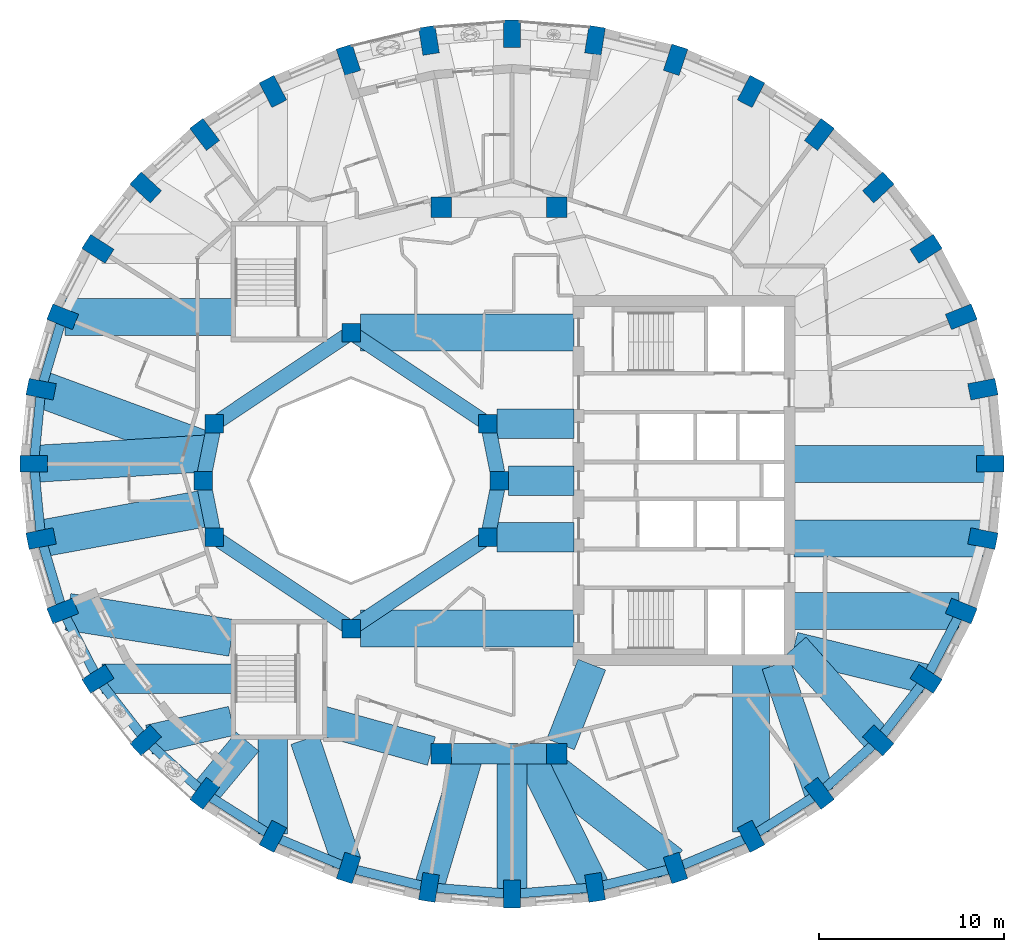
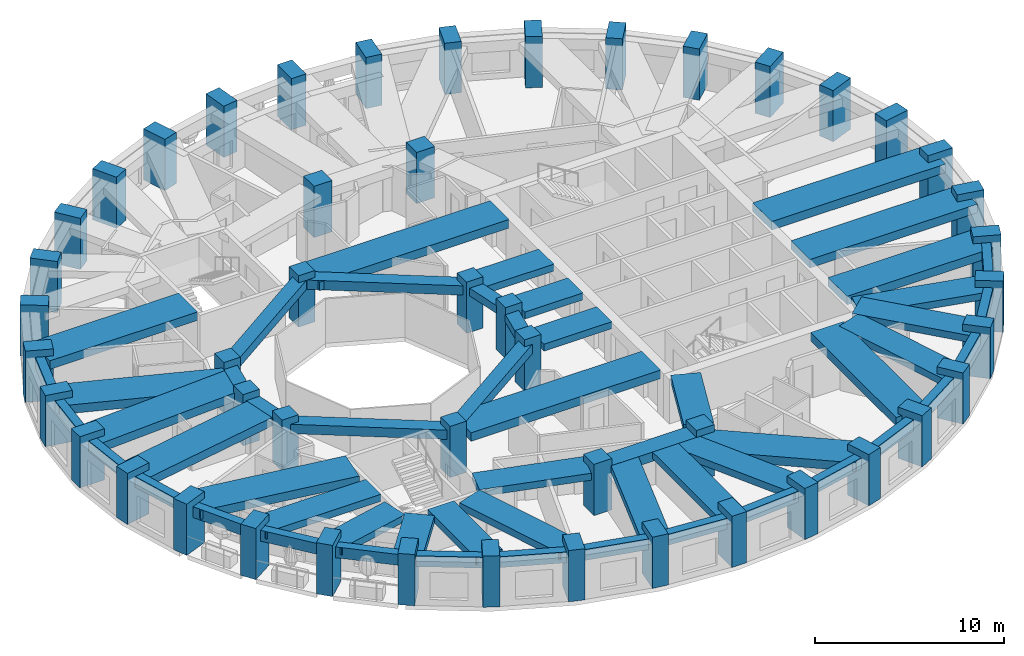
# One storey, part 1 of 12: 55 beams, 48 columns.
"""IFC4 building model written with IfcOpenShell, lengths in metres."""

import ifcopenshell
import ifcopenshell.guid

model = None  # the IFC model being written
_history = None  # IfcOwnerHistory: only IFC2X3 demands one
_inside = {}  # id of a spatial element -> (the spatial element, [elements in it])
_under = {}  # id of a project, library or spatial element -> (it, [spatial elements below it])
_declared = {}  # id of a project -> (the project, [libraries it declares])
_typed = {}  # id of a type object -> (the type object, [elements of that type])
_made_of = {}  # id of a material, layer set ... -> (it, [elements and type objects made of it])


def new_model(schema):
    """Start an empty IFC model of exactly this schema.

    Asked for "IFC4X3", IfcOpenShell would pick the latest addendum, in which some entities
    have other attributes; the version numbers below select the first issue.
    IFC2X3 requires an IfcOwnerHistory on every rooted entity: one is made here for all.
    """
    global model, _history
    if schema == "IFC4X3":
        model = ifcopenshell.file(schema_version=(4, 3, 0, 0))
    else:
        model = ifcopenshell.file(schema=schema)
    _inside.clear()
    _under.clear()
    _declared.clear()
    _typed.clear()
    _made_of.clear()
    _history = None
    if model.schema == "IFC2X3":
        org = make("IfcOrganization", Name="unknown")
        user = make(
            "IfcPersonAndOrganization",
            ThePerson=make("IfcPerson", FamilyName="unknown"),
            TheOrganization=org,
        )
        app = make(
            "IfcApplication",
            ApplicationDeveloper=org,
            Version="unknown",
            ApplicationFullName="unknown",
            ApplicationIdentifier="unknown",
        )
        _history = make(
            "IfcOwnerHistory",
            OwningUser=user,
            OwningApplication=app,
            ChangeAction="ADDED",
            CreationDate=0,
        )
    return model


def make(cls, **values):
    """One entity of the class cls with the attributes given. An attribute that is None is left unset."""
    return model.create_entity(
        cls, **{name: value for name, value in values.items() if value is not None}
    )


def rooted(cls, **values):
    """An entity with a GlobalId (a new one), such as an element, a storey or a relation."""
    return make(cls, GlobalId=ifcopenshell.guid.new(), OwnerHistory=_history, **values)


def si_unit(unit_type, name, prefix=None):
    """IfcSIUnit, for example si_unit("LENGTHUNIT", "METRE", prefix="MILLI")."""
    return make("IfcSIUnit", UnitType=unit_type, Prefix=prefix, Name=name)


def assignment(units):
    """IfcUnitAssignment: the units of a project."""
    return None if units is None else make("IfcUnitAssignment", Units=units)


def point(xyz):
    """IfcCartesianPoint."""
    return None if xyz is None else make("IfcCartesianPoint", Coordinates=xyz)


def direction(xyz):
    """IfcDirection."""
    return None if xyz is None else make("IfcDirection", DirectionRatios=xyz)


def frame(location, z_axis=None, x_axis=None):
    """IfcAxis2Placement3D, a coordinate frame: its origin and axes. An axis left out is left unset."""
    return make(
        "IfcAxis2Placement3D",
        Location=point(location),
        Axis=direction(z_axis),
        RefDirection=direction(x_axis),
    )


def frame_2d(location, x_axis=None):
    """IfcAxis2Placement2D, a coordinate frame in the plane: its origin and x axis."""
    return make(
        "IfcAxis2Placement2D", Location=point(location), RefDirection=direction(x_axis)
    )


def origin():
    """The frame at (0, 0, 0) with its axes left unset."""
    return frame((0.0, 0.0, 0.0))


def origin_2d():
    """The frame at (0, 0) in the plane with its x axis left unset."""
    return frame_2d((0.0, 0.0))


def place(relative_to, where):
    """IfcLocalPlacement: puts the frame where relative to a parent placement (None: the world)."""
    return make(
        "IfcLocalPlacement", PlacementRelTo=relative_to, RelativePlacement=where
    )


def context(
    kind, dimensions, precision=None, world=None, true_north=None, identifier=None
):
    """IfcGeometricRepresentationContext, for example the 3D "Model" context."""
    return make(
        "IfcGeometricRepresentationContext",
        ContextIdentifier=identifier,
        ContextType=kind,
        CoordinateSpaceDimension=dimensions,
        Precision=precision,
        WorldCoordinateSystem=world,
        TrueNorth=true_north,
    )


def subcontext(parent, identifier, kind, view, scale=None):
    """IfcGeometricRepresentationSubContext, for example "Body" below "Model"."""
    return make(
        "IfcGeometricRepresentationSubContext",
        ContextIdentifier=identifier,
        ContextType=kind,
        ParentContext=parent,
        TargetScale=scale,
        TargetView=view,
    )


def project(units=None, contexts=None):
    """IfcProject with its units and contexts."""
    return rooted(
        "IfcProject",
        Name="project",
        RepresentationContexts=contexts,
        UnitsInContext=assignment(units),
    )


def spatial(cls, under=None, at=None, **own):
    """A site, building, storey or space (cls), placed at a placement, below another one or the project."""
    s = rooted(cls, ObjectPlacement=at, **own)
    if under is not None:
        _under.setdefault(under.id(), (under, []))[1].append(s)
    return s


def profile(cls, at=None, kind="AREA", **sizes):
    """A parametric profile (cls). Its sizes go by their IFC names, for example OverallWidth=200.0."""
    return make(cls, ProfileType=kind, Position=at, **sizes)


def rectangle(**sizes):
    """IfcRectangleProfileDef."""
    return profile("IfcRectangleProfileDef", **sizes)


def extrude(swept, where, along, depth):
    """IfcExtrudedAreaSolid: the profile swept, set in the frame where, extruded along a direction by depth."""
    return make(
        "IfcExtrudedAreaSolid",
        SweptArea=swept,
        Position=where,
        ExtrudedDirection=direction(along),
        Depth=depth,
    )


def shape(context_of_items, identifier, shape_type, items):
    """IfcShapeRepresentation: the items that make up one representation, for example the "Body"."""
    return make(
        "IfcShapeRepresentation",
        ContextOfItems=context_of_items,
        RepresentationIdentifier=identifier,
        RepresentationType=shape_type,
        Items=items,
    )


def material(Name=None, Category=None):
    """IfcMaterial."""
    return make("IfcMaterial", Name=Name, Category=Category)


def material_profile(
    of_material, cross_section, Name=None, Category=None, Priority=None
):
    """IfcMaterialProfile: a cross section and its material."""
    return make(
        "IfcMaterialProfile",
        Name=Name,
        Material=of_material,
        Profile=cross_section,
        Priority=Priority,
        Category=Category,
    )


def profile_set(profiles, Name=None, composite=None):
    """IfcMaterialProfileSet."""
    return make(
        "IfcMaterialProfileSet",
        Name=Name,
        MaterialProfiles=profiles,
        CompositeProfile=composite,
    )


def made_of(thing, what):
    """Note that an element or type object is made of a material, layer set ...; save() writes the relation."""
    if what is not None:
        _made_of.setdefault(what.id(), (what, []))[1].append(thing)
    return thing


def type_object(cls, material=None, **own):
    """A type object (cls), such as IfcWallType, which elements share."""
    return made_of(rooted(cls, **own), material)


def element(
    cls,
    number,
    at=None,
    inside=None,
    cuts=None,
    type_object=None,
    material=None,
    context=None,
    identifier="Body",
    shape_type=None,
    held_by="IfcProductDefinitionShape",
    body=None,
    shapes=None,
    **own,
):
    """One element of the class cls, such as IfcWall. Its Tag is "e" and its number.

    at: its placement. inside: the storey or other place that contains it. cuts: it is an
    opening in that element (IfcRelVoidsElement). A single representation is given by context,
    identifier, shape_type and body (its items); several are given by shapes. held_by: the class
    of the entity that holds the representations. save() writes the other relations.
    """
    e = rooted(cls, Tag="e%d" % number, ObjectPlacement=at, **own)
    if body is not None:
        shapes = [shape(context, identifier, shape_type, body)]
    if shapes is not None:
        e.Representation = make(held_by, Representations=shapes)
    if inside is not None:
        _inside.setdefault(inside.id(), (inside, []))[1].append(e)
    if cuts is not None:
        rooted(
            "IfcRelVoidsElement", RelatingBuildingElement=cuts, RelatedOpeningElement=e
        )
    if type_object is not None:
        _typed.setdefault(type_object.id(), (type_object, []))[1].append(e)
    return made_of(e, material)


def aggregate(whole, parts):
    """IfcRelAggregates: a whole, such as a stair, and the parts it consists of."""
    return rooted("IfcRelAggregates", RelatingObject=whole, RelatedObjects=parts)


def save(model, path):
    """Write the relations noted so far, then the file.

    IfcRelAggregates (storeys below a building ...), IfcRelContainedInSpatialStructure (elements
    in a storey), IfcRelDefinesByType, IfcRelAssociatesMaterial and IfcRelDeclares: one each for
    every whole, place, type object, material and project.
    """
    for whole, parts in _under.values():
        aggregate(whole, parts)
    for where, things in _inside.values():
        rooted(
            "IfcRelContainedInSpatialStructure",
            RelatedElements=things,
            RelatingStructure=where,
        )
    for kind, things in _typed.values():
        rooted("IfcRelDefinesByType", RelatedObjects=things, RelatingType=kind)
    for what, things in _made_of.values():
        rooted("IfcRelAssociatesMaterial", RelatedObjects=things, RelatingMaterial=what)
    for by, libraries in _declared.values():
        rooted("IfcRelDeclares", RelatingContext=by, RelatedDefinitions=libraries)
    model.write(path)


model = new_model("IFC4")

# Units and contexts
model_context = context("Model", 3, precision=1e-05, world=origin(), true_north=direction((0.0, 1.0)))
body_context = subcontext(model_context, "Body", "Model", "MODEL_VIEW")
ifc_project = project(units=[si_unit("LENGTHUNIT", "METRE"), si_unit("AREAUNIT", "SQUARE_METRE"), si_unit("VOLUMEUNIT", "CUBIC_METRE"), si_unit("PLANEANGLEUNIT", "RADIAN"), si_unit("MASSUNIT", "GRAM", prefix="KILO")], contexts=[model_context])

# Site, building, storey
site_placement = place(None, origin())
site = spatial("IfcSite", under=ifc_project, at=site_placement, CompositionType="ELEMENT")
building_placement = place(site_placement, origin())
building = spatial("IfcBuilding", under=site, at=building_placement, Name="Taillehof Tower", CompositionType="ELEMENT")
storey_placement = place(building_placement, frame((0.0, 0.0, 225.5)))
storey = spatial("IfcBuildingStorey", under=building, at=storey_placement, Name="L64", CompositionType="ELEMENT", Elevation=225.5)

# Columns
ifc_material_1 = material(Name="Concrete C50/60", Category="concrete")
ifc_material_profile_1 = material_profile(ifc_material_1, rectangle(XDim=1.0, YDim=1.0, at=origin_2d()), Name="RC 1000x1000")
ifc_profile_set_1 = profile_set([ifc_material_profile_1], Name="Concrete C50/60")
column_type_1 = type_object("IfcColumnType", Name="Atrium ring column C50/60 1000x1000", PredefinedType="COLUMN", material=ifc_profile_set_1)
for number, where, z_axis, x_axis, name in (
    (1, (0.0, 0.0, 0.0), (0.0, 0.0, 1.0), (1.0, 0.0, 0.0), "Column AC01"),
    (2, (-0.60888671875, 3.0615234375, 0.0), (0.0, 0.0, 1.0), (1.0, 0.0, 0.0), "Column AC02"),
    (3, (-8.0, 8.0, 0.0), (0.0, 0.0, 1.0), (1.0, 0.0, 0.0), "Column AC05"),
    (4, (-15.39111328125, 3.0615234375, 0.0), (0.0, 0.0, 1.0), (1.0, 0.0, 0.0), "Column AC08"),
    (5, (-16.0, 0.0, 0.0), (0.0, 0.0, 1.0), (1.0, 0.0, 0.0), "Column AC09"),
    (6, (-15.39111328125, -3.0615234375, 0.0), (0.0, 0.0, 1.0), (1.0, 0.0, 0.0), "Column AC10"),
    (7, (-8.0, -8.0, 0.0), (0.0, 0.0, 1.0), (1.0, 0.0, 0.0), "Column AC13"),
    (8, (-0.60888671875, -3.0615234375, 0.0), (0.0, 0.0, 1.0), (1.0, 0.0, 0.0), "Column AC16"),
):
    element("IfcColumn", number, at=place(storey_placement, frame(where, z_axis=z_axis, x_axis=x_axis)), inside=storey, type_object=column_type_1, Name=name, PredefinedType="COLUMN", context=body_context, shape_type="SweptSolid", body=[
        extrude(rectangle(XDim=1.0, YDim=1.0, at=origin_2d()), origin(), (0.0, 0.0, 1.0), 3.300048828125),
    ])
ifc_material_2 = material(Name="Concrete C50/60", Category="concrete")
ifc_material_profile_2 = material_profile(ifc_material_2, rectangle(XDim=1.10009765625, YDim=1.10009765625, at=origin_2d()), Name="RC 1100x1100")
ifc_profile_set_2 = profile_set([ifc_material_profile_2], Name="Concrete C50/60")
column_type_2 = type_object("IfcColumnType", Name="Mid-ring column C50/60 1100x1100", PredefinedType="COLUMN", material=ifc_profile_set_2)
for number, where, z_axis, x_axis, name in (
    (9, (3.125732421875, 14.772216796875, 0.0), (0.0, 0.0, 1.0), (1.0, 0.0, 0.0), "Column MC05"),
    (10, (-3.125732421875, 14.772216796875, 0.0), (0.0, 0.0, 1.0), (1.0, 0.0, 0.0), "Column MC06"),
    (11, (-3.125732421875, -14.772216796875, 0.0), (0.0, 0.0, 1.0), (1.0, 0.0, 0.0), "Column MC14"),
    (12, (3.125732421875, -14.772216796875, 0.0), (0.0, 0.0, 1.0), (1.0, 0.0, 0.0), "Column MC15"),
):
    element("IfcColumn", number, at=place(storey_placement, frame(where, z_axis=z_axis, x_axis=x_axis)), inside=storey, type_object=column_type_2, Name=name, PredefinedType="COLUMN", context=body_context, shape_type="SweptSolid", body=[
        extrude(rectangle(XDim=1.10009765625, YDim=1.10009765625, at=origin_2d()), origin(), (0.0, 0.0, 1.0), 3.300048828125),
    ])
ifc_material_3 = material(Name="Concrete C60/75", Category="concrete")
ifc_material_profile_3 = material_profile(ifc_material_3, rectangle(XDim=1.5, YDim=0.89990234375, at=origin_2d()), Name="RC 1500x900")
ifc_profile_set_3 = profile_set([ifc_material_profile_3], Name="Concrete C60/75")
column_type_3 = type_object("IfcColumnType", Name="Ring column C60/75 1500x900", PredefinedType="COLUMN", material=ifc_profile_set_3)
for number, where, z_axis, x_axis, name in (
    (13, (26.550048828125, 0.89990234375, 0.0), (0.0, 0.0, 1.0), (1.0, 0.0, 0.0), "Ring column RC01"),
    (14, (26.1572265625, 4.937255859375, 0.0), (0.0, 0.0, 1.0), (0.981433894538, 0.191800705555, 0.0), "Ring column RC02"),
    (15, (24.990966796875, 8.85205078125, 0.0), (0.0, 0.0, 1.0), (0.927385290523, 0.374107635477, 0.0), "Ring column RC03"),
    (16, (23.086669921875, 12.52490234375, 0.0), (0.0, 0.0, 1.0), (0.84231094199, 0.538991908107, 0.0), "Ring column RC04"),
    (17, (20.502197265625, 15.8447265625, 0.0), (0.0, 0.0, 1.0), (0.732270888356, 0.681013469813, 0.0), "Ring column RC05"),
    (18, (17.316162109375, 18.71044921875, 0.0), (0.0, 0.0, 1.0), (0.60360770772, 0.797281465469, 0.0), "Ring column RC06"),
    (19, (13.625, 21.03515625, 0.0), (0.0, 0.0, 1.0), (0.461993199576, 0.886883466722, 0.0), "Ring column RC07"),
    (20, (9.541259765625, 22.747802734375, 0.0), (0.0, 0.0, 1.0), (0.312001306843, 0.950081672557, 0.0), "Ring column RC08"),
    (21, (5.188720703125, 23.796875, 0.0), (0.0, 0.0, 1.0), (0.157116034607, 0.987580149491, 0.0), "Ring column RC09"),
    (22, (0.699951171875, 24.14990234375, 0.0), (0.0, 0.0, 1.0), (0.0, 1.0, 0.0), "Ring column RC10"),
    (23, (-3.788818359375, 23.796875, 0.0), (0.0, 0.0, 1.0), (-0.157116034607, 0.987580149491, 0.0), "Ring column RC11"),
    (24, (-8.14111328125, 22.747802734375, 0.0), (0.0, 0.0, 1.0), (-0.312001306843, 0.950081672557, 0.0), "Ring column RC12"),
    (25, (-12.22509765625, 21.03515625, 0.0), (0.0, 0.0, 1.0), (-0.461993199576, 0.886883466722, 0.0), "Ring column RC13"),
    (26, (-15.916015625, 18.71044921875, 0.0), (0.0, 0.0, 1.0), (-0.60360770772, 0.797281465469, 0.0), "Ring column RC14"),
    (27, (-19.102294921875, 15.8447265625, 0.0), (0.0, 0.0, 1.0), (-0.732270888356, 0.681013469813, 0.0), "Ring column RC15"),
    (28, (-21.686767578125, 12.52490234375, 0.0), (0.0, 0.0, 1.0), (-0.84231094199, 0.538991908107, 0.0), "Ring column RC16"),
    (29, (-23.591064453125, 8.85205078125, 0.0), (0.0, 0.0, 1.0), (-0.927385290523, 0.374107635477, 0.0), "Ring column RC17"),
    (30, (-24.75732421875, 4.937255859375, 0.0), (0.0, 0.0, 1.0), (-0.981433894538, 0.191800705555, 0.0), "Ring column RC18"),
    (31, (-25.14990234375, 0.89990234375, 0.0), (0.0, 0.0, 1.0), (-1.0, 0.0, 0.0), "Ring column RC19"),
    (32, (-24.75732421875, -3.13720703125, 0.0), (0.0, 0.0, 1.0), (-0.981433894538, -0.191800705555, 0.0), "Ring column RC20"),
    (33, (-23.591064453125, -7.052001953125, 0.0), (0.0, 0.0, 1.0), (-0.927385290523, -0.374107635477, 0.0), "Ring column RC21"),
    (34, (-21.686767578125, -10.72509765625, 0.0), (0.0, 0.0, 1.0), (-0.84231094199, -0.538991908107, 0.0), "Ring column RC22"),
    (35, (-19.102294921875, -14.044921875, 0.0), (0.0, 0.0, 1.0), (-0.732270888356, -0.681013469813, 0.0), "Ring column RC23"),
    (36, (-15.916015625, -16.91064453125, 0.0), (0.0, 0.0, 1.0), (-0.60360770772, -0.797281465469, 0.0), "Ring column RC24"),
    (37, (-12.22509765625, -19.235107421875, 0.0), (0.0, 0.0, 1.0), (-0.461993199576, -0.886883466722, 0.0), "Ring column RC25"),
    (38, (-8.14111328125, -20.94775390625, 0.0), (0.0, 0.0, 1.0), (-0.312001306843, -0.950081672557, 0.0), "Ring column RC26"),
    (39, (-3.788818359375, -21.996826171875, 0.0), (0.0, 0.0, 1.0), (-0.157116034607, -0.987580149491, 0.0), "Ring column RC27"),
    (40, (0.699951171875, -22.35009765625, 0.0), (0.0, 0.0, 1.0), (0.0, -1.0, 0.0), "Ring column RC28"),
    (41, (5.188720703125, -21.996826171875, 0.0), (0.0, 0.0, 1.0), (0.157116034607, -0.987580149491, 0.0), "Ring column RC29"),
    (42, (9.541259765625, -20.94775390625, 0.0), (0.0, 0.0, 1.0), (0.312001306843, -0.950081672557, 0.0), "Ring column RC30"),
    (43, (13.625, -19.235107421875, 0.0), (0.0, 0.0, 1.0), (0.461993199576, -0.886883466722, 0.0), "Ring column RC31"),
    (44, (17.316162109375, -16.91064453125, 0.0), (0.0, 0.0, 1.0), (0.60360770772, -0.797281465469, 0.0), "Ring column RC32"),
    (45, (20.502197265625, -14.044921875, 0.0), (0.0, 0.0, 1.0), (0.732270888356, -0.681013469813, 0.0), "Ring column RC33"),
    (46, (23.086669921875, -10.72509765625, 0.0), (0.0, 0.0, 1.0), (0.84231094199, -0.538991908107, 0.0), "Ring column RC34"),
    (47, (24.990966796875, -7.052001953125, 0.0), (0.0, 0.0, 1.0), (0.927385290523, -0.374107635477, 0.0), "Ring column RC35"),
    (48, (26.1572265625, -3.13720703125, 0.0), (0.0, 0.0, 1.0), (0.981433894538, -0.191800705555, 0.0), "Ring column RC36"),
):
    element("IfcColumn", number, at=place(storey_placement, frame(where, z_axis=z_axis, x_axis=x_axis)), inside=storey, type_object=column_type_3, Name=name, PredefinedType="COLUMN", context=body_context, shape_type="SweptSolid", body=[
        extrude(rectangle(XDim=1.5, YDim=0.89990234375, at=origin_2d()), origin(), (0.0, 0.0, 1.0), 3.300048828125),
    ])

# Beams
ifc_material_4 = material(Name="Concrete C50/60", Category="concrete")
ifc_material_profile_4 = material_profile(ifc_material_4, rectangle(XDim=0.800048828125, YDim=0.5, at=origin_2d()), Name="RC 800x500")
ifc_profile_set_4 = profile_set([ifc_material_profile_4], Name="Concrete C50/60")
beam_type_1 = type_object("IfcBeamType", Name="Atrium ring beam C50/60 800x500", PredefinedType="BEAM", material=ifc_profile_set_4)
for number, where, z_axis, x_axis, name in (
    (49, (0.0, 0.0, 2.60009765625), (-0.195063155143, 0.980790683839, 0.0), (-0.980790683839, -0.195063155143, 0.0), "Atrium ring beam AB01"),
    (50, (-15.39111328125, 3.0615234375, 2.60009765625), (-0.195063155143, -0.980790683839, 0.0), (0.980790683839, -0.195063155143, 0.0), "Atrium ring beam AB04"),
    (51, (-16.0, 0.0, 2.60009765625), (0.195063155143, -0.980790683839, 0.0), (0.980790683839, 0.195063155143, 0.0), "Atrium ring beam AB05"),
    (52, (-0.60888671875, -3.0615234375, 2.60009765625), (0.195063155143, 0.980790683839, 0.0), (-0.980790683839, 0.195063155143, 0.0), "Atrium ring beam AB08"),
):
    element("IfcBeam", number, at=place(storey_placement, frame(where, z_axis=z_axis, x_axis=x_axis)), inside=storey, type_object=beam_type_1, Name=name, PredefinedType="BEAM", context=body_context, shape_type="SweptSolid", body=[
        extrude(rectangle(XDim=0.800048828125, YDim=0.5, at=origin_2d()), origin(), (0.0, 0.0, 1.0), 3.12158203125),
    ])
ifc_material_5 = material(Name="Concrete C50/60", Category="concrete")
ifc_material_profile_5 = material_profile(ifc_material_5, rectangle(XDim=0.800048828125, YDim=0.60009765625, at=origin_2d()), Name="RC 800x600")
ifc_profile_set_5 = profile_set([ifc_material_profile_5], Name="Concrete C50/60")
beam_type_2 = type_object("IfcBeamType", Name="Atrium ring beam C50/60 800x600", PredefinedType="BEAM", material=ifc_profile_set_5)
for number, where, z_axis, x_axis, name in (
    (53, (-0.60888671875, 3.0615234375, 2.550048828125), (-0.831475195687, 0.555561876804, 0.0), (-0.555561876804, -0.831475195687, 0.0), "Atrium ring beam AB02"),
    (54, (-8.0, 8.0, 2.550048828125), (-0.831475195687, -0.555561876804, 0.0), (0.555561876804, -0.831475195687, 0.0), "Atrium ring beam AB03"),
    (55, (-15.39111328125, -3.0615234375, 2.550048828125), (0.831475195687, -0.555561876804, 0.0), (0.555561876804, 0.831475195687, 0.0), "Atrium ring beam AB06"),
    (56, (-8.0, -8.0, 2.550048828125), (0.831475195687, 0.555561876804, 0.0), (-0.555561876804, 0.831475195687, 0.0), "Atrium ring beam AB07"),
):
    element("IfcBeam", number, at=place(storey_placement, frame(where, z_axis=z_axis, x_axis=x_axis)), inside=storey, type_object=beam_type_2, Name=name, PredefinedType="BEAM", context=body_context, shape_type="SweptSolid", body=[
        extrude(rectangle(XDim=0.800048828125, YDim=0.60009765625, at=origin_2d()), origin(), (0.0, 0.0, 1.0), 8.88916015625),
    ])
ifc_material_6 = material(Name="Concrete C50/60", Category="concrete")
ifc_material_profile_6 = material_profile(ifc_material_6, rectangle(XDim=1.10009765625, YDim=0.60009765625, at=origin_2d()), Name="RC 1100x600")
ifc_profile_set_6 = profile_set([ifc_material_profile_6], Name="Concrete C50/60")
beam_type_3 = type_object("IfcBeamType", Name="Mid-ring beam C50/60 1100x600", PredefinedType="BEAM", material=ifc_profile_set_6)
beam_1_placement = place(storey_placement, frame((-3.125732421875, -14.772216796875, 2.550048828125), z_axis=(1.0, 0.0, 0.0), x_axis=(0.0, 1.0, 0.0)))
element("IfcBeam", 57, at=beam_1_placement, inside=storey, type_object=beam_type_3, Name="Mid-ring beam MB02", PredefinedType="BEAM", context=body_context, shape_type="SweptSolid", body=[
    extrude(rectangle(XDim=1.10009765625, YDim=0.60009765625, at=origin_2d()), origin(), (0.0, 0.0, 1.0), 6.25146484375),
])
ifc_material_7 = material(Name="Concrete C50/60", Category="concrete")
ifc_material_profile_7 = material_profile(ifc_material_7, rectangle(XDim=1.60009765625, YDim=0.449951171875, at=origin_2d()), Name="RC 1600x450")
ifc_profile_set_7 = profile_set([ifc_material_profile_7], Name="Concrete C50/60")
beam_type_4 = type_object("IfcBeamType", Name="Radial band beam C50/60 1600x450", PredefinedType="BEAM", material=ifc_profile_set_7)
beam_2_placement = place(storey_placement, frame((-21.47021484375, -10.72509765625, 2.625), z_axis=(1.0, 0.0, 0.0), x_axis=(0.0, 1.0, 0.0)))
element("IfcBeam", 58, at=beam_2_placement, inside=storey, type_object=beam_type_4, Name="Radial band beam RB22", PredefinedType="BEAM", context=body_context, shape_type="SweptSolid", body=[
    extrude(rectangle(XDim=1.60009765625, YDim=0.449951171875, at=origin_2d()), origin(), (0.0, 0.0, 1.0), 7.020263671875),
])
beam_3_placement = place(storey_placement, frame((-18.929931640625, -14.005615234375, 2.625), z_axis=(0.975193914537, 0.221352273651, 0.0), x_axis=(-0.221352273651, 0.975193914537, 0.0)))
element("IfcBeam", 59, at=beam_3_placement, inside=storey, type_object=beam_type_4, Name="Radial band beam RB23", PredefinedType="BEAM", context=body_context, shape_type="SweptSolid", body=[
    extrude(rectangle(XDim=1.60009765625, YDim=0.449951171875, at=origin_2d()), origin(), (0.0, 0.0, 1.0), 4.5927734375),
])
beam_4_placement = place(storey_placement, frame((-15.916015625, -16.91064453125, 2.625), z_axis=(0.638722345868, 0.769437304066, 0.0), x_axis=(-0.769437304066, 0.638722345868, 0.0)))
element("IfcBeam", 60, at=beam_4_placement, inside=storey, type_object=beam_type_4, Name="Radial band beam RB24", PredefinedType="BEAM", context=body_context, shape_type="SweptSolid", body=[
    extrude(rectangle(XDim=1.60009765625, YDim=0.449951171875, at=origin_2d()), origin(), (0.0, 0.0, 1.0), 3.6328125),
])
beam_5_placement = place(storey_placement, frame((-12.22509765625, -19.101318359375, 2.625), z_axis=(0.0, 1.0, 0.0), x_axis=(-1.0, 0.0, 0.0)))
element("IfcBeam", 61, at=beam_5_placement, inside=storey, type_object=beam_type_4, Name="Radial band beam RB25", PredefinedType="BEAM", context=body_context, shape_type="SweptSolid", body=[
    extrude(rectangle(XDim=1.60009765625, YDim=0.449951171875, at=origin_2d()), origin(), (0.0, 0.0, 1.0), 5.1513671875),
])
beam_6_placement = place(storey_placement, frame((-8.233642578125, -20.675537109375, 2.625), z_axis=(-0.321475101084, 0.94691803203, 0.0), x_axis=(-0.94691803203, -0.321475101084, 0.0)))
element("IfcBeam", 62, at=beam_6_placement, inside=storey, type_object=beam_type_4, Name="Radial band beam RB26", PredefinedType="BEAM", context=body_context, shape_type="SweptSolid", body=[
    extrude(rectangle(XDim=1.60009765625, YDim=0.449951171875, at=origin_2d()), origin(), (0.0, 0.0, 1.0), 7.042236328125),
])
beam_7_placement = place(storey_placement, frame((-3.788818359375, -21.996826171875, 2.625), z_axis=(0.286825122153, 0.957982958774, 0.0), x_axis=(-0.957982958774, 0.286825122153, 0.0)))
element("IfcBeam", 63, at=beam_7_placement, inside=storey, type_object=beam_type_4, Name="Radial band beam RB27", PredefinedType="BEAM", context=body_context, shape_type="SweptSolid", body=[
    extrude(rectangle(XDim=1.60009765625, YDim=0.449951171875, at=origin_2d()), origin(), (0.0, 0.0, 1.0), 7.54150390625),
])
beam_8_placement = place(storey_placement, frame((0.699951171875, -22.35009765625, 2.625), z_axis=(0.0, 1.0, 0.0), x_axis=(-1.0, 0.0, 0.0)))
element("IfcBeam", 64, at=beam_8_placement, inside=storey, type_object=beam_type_4, Name="Radial band beam RB28", PredefinedType="BEAM", context=body_context, shape_type="SweptSolid", body=[
    extrude(rectangle(XDim=1.60009765625, YDim=0.449951171875, at=origin_2d()), origin(), (0.0, 0.0, 1.0), 7.577880859375),
])
beam_9_placement = place(storey_placement, frame((5.188720703125, -21.996826171875, 2.625), z_axis=(-0.442309181818, 0.896862635903, 0.0), x_axis=(-0.896862635903, -0.442309181818, 0.0)))
element("IfcBeam", 65, at=beam_9_placement, inside=storey, type_object=beam_type_4, Name="Radial band beam RB29", PredefinedType="BEAM", context=body_context, shape_type="SweptSolid", body=[
    extrude(rectangle(XDim=1.60009765625, YDim=0.449951171875, at=origin_2d()), origin(), (0.0, 0.0, 1.0), 8.055419921875),
])
beam_10_placement = place(storey_placement, frame((17.314697265625, -16.906494140625, 2.625), z_axis=(-0.317775276173, 0.948166058164, 0.0), x_axis=(-0.948166058164, -0.317775276173, 0.0)))
element("IfcBeam", 66, at=beam_10_placement, inside=storey, type_object=beam_type_4, Name="Radial band beam RB32", PredefinedType="BEAM", context=body_context, shape_type="SweptSolid", body=[
    extrude(rectangle(XDim=1.60009765625, YDim=0.449951171875, at=origin_2d()), origin(), (0.0, 0.0, 1.0), 7.333984375),
])
beam_11_placement = place(storey_placement, frame((20.502197265625, -14.044921875, 2.625), z_axis=(-0.665845101725, 0.746090008316, 0.0), x_axis=(-0.746090008316, -0.665845101725, 0.0)))
element("IfcBeam", 67, at=beam_11_placement, inside=storey, type_object=beam_type_4, Name="Radial band beam RB33", PredefinedType="BEAM", context=body_context, shape_type="SweptSolid", body=[
    extrude(rectangle(XDim=1.60009765625, YDim=0.449951171875, at=origin_2d()), origin(), (0.0, 0.0, 1.0), 6.766357421875),
])
beam_12_placement = place(storey_placement, frame((23.07568359375, -10.722412109375, 2.625), z_axis=(-0.971629977108, 0.236506210459, 0.0), x_axis=(-0.236506210459, -0.971629977108, 0.0)))
element("IfcBeam", 68, at=beam_12_placement, inside=storey, type_object=beam_type_4, Name="Radial band beam RB34", PredefinedType="BEAM", context=body_context, shape_type="SweptSolid", body=[
    extrude(rectangle(XDim=1.60009765625, YDim=0.449951171875, at=origin_2d()), origin(), (0.0, 0.0, 1.0), 7.332275390625),
])
beam_13_placement = place(storey_placement, frame((0.5, 0.0, 2.625), z_axis=(1.0, 0.0, 0.0), x_axis=(0.0, 1.0, 0.0)))
element("IfcBeam", 69, at=beam_13_placement, inside=storey, type_object=beam_type_4, Name="Inner band beam IB101", PredefinedType="BEAM", context=body_context, shape_type="SweptSolid", body=[
    extrude(rectangle(XDim=1.60009765625, YDim=0.449951171875, at=origin_2d()), origin(), (0.0, 0.0, 1.0), 3.550048828125),
])
for number, where, z_axis, x_axis, name in (
    (70, (-0.10888671875, 3.0615234375, 2.625), (1.0, 0.0, 0.0), (0.0, 1.0, 0.0), "Inner band beam IB102"),
    (71, (-0.10888671875, -3.0615234375, 2.625), (1.0, 0.0, 0.0), (0.0, 1.0, 0.0), "Inner band beam IB116"),
):
    element("IfcBeam", number, at=place(storey_placement, frame(where, z_axis=z_axis, x_axis=x_axis)), inside=storey, type_object=beam_type_4, Name=name, PredefinedType="BEAM", context=body_context, shape_type="SweptSolid", body=[
        extrude(rectangle(XDim=1.60009765625, YDim=0.449951171875, at=origin_2d()), origin(), (0.0, 0.0, 1.0), 4.158935546875),
    ])
beam_14_placement = place(storey_placement, frame((-3.655517578125, -14.624755859375, 2.625), z_axis=(-0.963459369536, 0.267854518821, 0.0), x_axis=(-0.267854518821, -0.963459369536, 0.0)))
element("IfcBeam", 72, at=beam_14_placement, inside=storey, type_object=beam_type_4, Name="Inner band beam IB214", PredefinedType="BEAM", context=body_context, shape_type="SweptSolid", body=[
    extrude(rectangle(XDim=1.60009765625, YDim=0.449951171875, at=origin_2d()), origin(), (0.0, 0.0, 1.0), 6.096923828125),
])
beam_15_placement = place(storey_placement, frame((3.32666015625, -14.26025390625, 2.625), z_axis=(0.365588707223, 0.930776502255, 0.0), x_axis=(-0.930776502255, 0.365588707223, 0.0)))
element("IfcBeam", 73, at=beam_15_placement, inside=storey, type_object=beam_type_4, Name="Inner band beam IB215", PredefinedType="BEAM", context=body_context, shape_type="SweptSolid", body=[
    extrude(rectangle(XDim=1.60009765625, YDim=0.449951171875, at=origin_2d()), origin(), (0.0, 0.0, 1.0), 4.627197265625),
])
ifc_material_8 = material(Name="Concrete C50/60", Category="concrete")
ifc_material_profile_8 = material_profile(ifc_material_8, rectangle(XDim=2.0, YDim=0.550048828125, at=origin_2d()), Name="RC 2000x550")
ifc_profile_set_8 = profile_set([ifc_material_profile_8], Name="Concrete C50/60")
beam_type_5 = type_object("IfcBeamType", Name="Radial band beam C50/60 2000x550", PredefinedType="BEAM", material=ifc_profile_set_8)
beam_16_placement = place(storey_placement, frame((26.550048828125, 0.89990234375, 2.574951171875), z_axis=(-1.0, 0.0, 0.0), x_axis=(0.0, -1.0, 0.0)))
element("IfcBeam", 74, at=beam_16_placement, inside=storey, type_object=beam_type_5, Name="Radial band beam RB01", PredefinedType="BEAM", context=body_context, shape_type="SweptSolid", body=[
    extrude(rectangle(XDim=2.0, YDim=0.550048828125, at=origin_2d()), origin(), (0.0, 0.0, 1.0), 10.60009765625),
])
beam_17_placement = place(storey_placement, frame((-23.4560546875, 8.85205078125, 2.574951171875), z_axis=(1.0, 0.0, 0.0), x_axis=(0.0, 1.0, 0.0)))
element("IfcBeam", 75, at=beam_17_placement, inside=storey, type_object=beam_type_5, Name="Radial band beam RB17", PredefinedType="BEAM", context=body_context, shape_type="SweptSolid", body=[
    extrude(rectangle(XDim=2.0, YDim=0.550048828125, at=origin_2d()), origin(), (0.0, 0.0, 1.0), 9.006103515625),
])
beam_18_placement = place(storey_placement, frame((-24.75732421875, 4.937255859375, 2.574951171875), z_axis=(0.938209870924, -0.346066811615, 0.0), x_axis=(0.346066811615, 0.938209870924, 0.0)))
element("IfcBeam", 76, at=beam_18_placement, inside=storey, type_object=beam_type_5, Name="Radial band beam RB18", PredefinedType="BEAM", context=body_context, shape_type="SweptSolid", body=[
    extrude(rectangle(XDim=2.0, YDim=0.550048828125, at=origin_2d()), origin(), (0.0, 0.0, 1.0), 9.67138671875),
])
beam_19_placement = place(storey_placement, frame((-25.14990234375, 0.89990234375, 2.574951171875), z_axis=(0.998174819199, 0.060390647592, 0.0), x_axis=(-0.060390647592, 0.998174819199, 0.0)))
element("IfcBeam", 77, at=beam_19_placement, inside=storey, type_object=beam_type_5, Name="Radial band beam RB19", PredefinedType="BEAM", context=body_context, shape_type="SweptSolid", body=[
    extrude(rectangle(XDim=2.0, YDim=0.550048828125, at=origin_2d()), origin(), (0.0, 0.0, 1.0), 9.4599609375),
])
beam_20_placement = place(storey_placement, frame((-24.75732421875, -3.13720703125, 2.574951171875), z_axis=(0.983474452744, 0.181046957445, 0.0), x_axis=(-0.181046957445, 0.983474452744, 0.0)))
element("IfcBeam", 78, at=beam_20_placement, inside=storey, type_object=beam_type_5, Name="Radial band beam RB20", PredefinedType="BEAM", context=body_context, shape_type="SweptSolid", body=[
    extrude(rectangle(XDim=2.0, YDim=0.550048828125, at=origin_2d()), origin(), (0.0, 0.0, 1.0), 9.2021484375),
])
beam_21_placement = place(storey_placement, frame((-23.3076171875, -7.09716796875, 2.574951171875), z_axis=(0.987552836313, -0.157287620272, 0.0), x_axis=(0.157287620272, 0.987552836313, 0.0)))
element("IfcBeam", 79, at=beam_21_placement, inside=storey, type_object=beam_type_5, Name="Radial band beam RB21", PredefinedType="BEAM", context=body_context, shape_type="SweptSolid", body=[
    extrude(rectangle(XDim=2.0, YDim=0.550048828125, at=origin_2d()), origin(), (0.0, 0.0, 1.0), 8.968505859375),
])
beam_22_placement = place(storey_placement, frame((9.3076171875, -20.765625, 2.574951171875), z_axis=(-0.788425359087, 0.615130435882, 0.0), x_axis=(-0.615130435882, -0.788425359087, 0.0)))
element("IfcBeam", 80, at=beam_22_placement, inside=storey, type_object=beam_type_5, Name="Radial band beam RB30", PredefinedType="BEAM", context=body_context, shape_type="SweptSolid", body=[
    extrude(rectangle(XDim=2.0, YDim=0.550048828125, at=origin_2d()), origin(), (0.0, 0.0, 1.0), 9.35595703125),
])
beam_23_placement = place(storey_placement, frame((13.625, -18.99755859375, 2.574951171875), z_axis=(0.0, 1.0, 0.0), x_axis=(-1.0, 0.0, 0.0)))
element("IfcBeam", 81, at=beam_23_placement, inside=storey, type_object=beam_type_5, Name="Radial band beam RB31", PredefinedType="BEAM", context=body_context, shape_type="SweptSolid", body=[
    extrude(rectangle(XDim=2.0, YDim=0.550048828125, at=origin_2d()), origin(), (0.0, 0.0, 1.0), 9.047607421875),
])
beam_24_placement = place(storey_placement, frame((24.856201171875, -7.052001953125, 2.574951171875), z_axis=(-1.0, 0.0, 0.0), x_axis=(0.0, -1.0, 0.0)))
element("IfcBeam", 82, at=beam_24_placement, inside=storey, type_object=beam_type_5, Name="Radial band beam RB35", PredefinedType="BEAM", context=body_context, shape_type="SweptSolid", body=[
    extrude(rectangle(XDim=2.0, YDim=0.550048828125, at=origin_2d()), origin(), (0.0, 0.0, 1.0), 8.90625),
])
beam_25_placement = place(storey_placement, frame((26.1572265625, -3.13720703125, 2.574951171875), z_axis=(-1.0, 0.0, 0.0), x_axis=(0.0, -1.0, 0.0)))
element("IfcBeam", 83, at=beam_25_placement, inside=storey, type_object=beam_type_5, Name="Radial band beam RB36", PredefinedType="BEAM", context=body_context, shape_type="SweptSolid", body=[
    extrude(rectangle(XDim=2.0, YDim=0.550048828125, at=origin_2d()), origin(), (0.0, 0.0, 1.0), 10.207275390625),
])
for number, where, z_axis, x_axis, name in (
    (84, (-7.5, 8.0, 2.574951171875), (1.0, 0.0, 0.0), (0.0, 1.0, 0.0), "Inner band beam IB105"),
    (85, (-7.5, -8.0, 2.574951171875), (1.0, 0.0, 0.0), (0.0, 1.0, 0.0), "Inner band beam IB113"),
):
    element("IfcBeam", number, at=place(storey_placement, frame(where, z_axis=z_axis, x_axis=x_axis)), inside=storey, type_object=beam_type_5, Name=name, PredefinedType="BEAM", context=body_context, shape_type="SweptSolid", body=[
        extrude(rectangle(XDim=2.0, YDim=0.550048828125, at=origin_2d()), origin(), (0.0, 0.0, 1.0), 11.550048828125),
    ])
ifc_material_9 = material(Name="Concrete C50/60", Category="concrete")
ifc_material_profile_9 = material_profile(ifc_material_9, rectangle(XDim=0.5, YDim=0.699951171875, at=origin_2d()), Name="RC 500x700")
ifc_profile_set_9 = profile_set([ifc_material_profile_9], Name="Concrete C50/60")
beam_type_6 = type_object("IfcBeamType", Name="Spandrel beam C50/60 500x700", PredefinedType="SPANDREL", material=ifc_profile_set_9)
beam_26_placement = place(storey_placement, frame((-23.591064453125, 8.85205078125, 2.5), z_axis=(-0.285510458946, -0.9583755933, 0.0), x_axis=(0.9583755933, -0.285510458946, 0.0)))
element("IfcBeam", 86, at=beam_26_placement, inside=storey, type_object=beam_type_6, Name="Spandrel beam SB17", PredefinedType="SPANDREL", context=body_context, shape_type="SweptSolid", body=[
    extrude(rectangle(XDim=0.5, YDim=0.699951171875, at=origin_2d()), origin(), (0.0, 0.0, 1.0), 4.084716796875),
])
beam_27_placement = place(storey_placement, frame((-24.75732421875, 4.937255859375, 2.5), z_axis=(-0.096780051712, -0.995305793006, 0.0), x_axis=(0.995305793006, -0.096780051712, 0.0)))
element("IfcBeam", 87, at=beam_27_placement, inside=storey, type_object=beam_type_6, Name="Spandrel beam SB18", PredefinedType="SPANDREL", context=body_context, shape_type="SweptSolid", body=[
    extrude(rectangle(XDim=0.5, YDim=0.699951171875, at=origin_2d()), origin(), (0.0, 0.0, 1.0), 4.056396484375),
])
beam_28_placement = place(storey_placement, frame((-25.14990234375, 0.89990234375, 2.5), z_axis=(0.096785849576, -0.995305229225, 0.0), x_axis=(0.995305229225, 0.096785849576, 0.0)))
element("IfcBeam", 88, at=beam_28_placement, inside=storey, type_object=beam_type_6, Name="Spandrel beam SB19", PredefinedType="SPANDREL", context=body_context, shape_type="SweptSolid", body=[
    extrude(rectangle(XDim=0.5, YDim=0.699951171875, at=origin_2d()), origin(), (0.0, 0.0, 1.0), 4.05615234375),
])
beam_29_placement = place(storey_placement, frame((-24.75732421875, -3.13720703125, 2.5), z_axis=(0.285510458946, -0.9583755933, 0.0), x_axis=(0.9583755933, 0.285510458946, 0.0)))
element("IfcBeam", 89, at=beam_29_placement, inside=storey, type_object=beam_type_6, Name="Spandrel beam SB20", PredefinedType="SPANDREL", context=body_context, shape_type="SweptSolid", body=[
    extrude(rectangle(XDim=0.5, YDim=0.699951171875, at=origin_2d()), origin(), (0.0, 0.0, 1.0), 4.084716796875),
])
beam_30_placement = place(storey_placement, frame((-23.591064453125, -7.052001953125, 2.5), z_axis=(0.460265491458, -0.887781322947, 0.0), x_axis=(0.887781322947, 0.460265491458, 0.0)))
element("IfcBeam", 90, at=beam_30_placement, inside=storey, type_object=beam_type_6, Name="Spandrel beam SB21", PredefinedType="SPANDREL", context=body_context, shape_type="SweptSolid", body=[
    extrude(rectangle(XDim=0.5, YDim=0.699951171875, at=origin_2d()), origin(), (0.0, 0.0, 1.0), 4.137451171875),
])
beam_31_placement = place(storey_placement, frame((-21.686767578125, -10.72509765625, 2.5), z_axis=(0.614294081938, -0.789077170432, 0.0), x_axis=(0.789077170432, 0.614294081938, 0.0)))
element("IfcBeam", 91, at=beam_31_placement, inside=storey, type_object=beam_type_6, Name="Spandrel beam SB22", PredefinedType="SPANDREL", context=body_context, shape_type="SweptSolid", body=[
    extrude(rectangle(XDim=0.5, YDim=0.699951171875, at=origin_2d()), origin(), (0.0, 0.0, 1.0), 4.207275390625),
])
beam_32_placement = place(storey_placement, frame((-19.102294921875, -14.044921875, 2.5), z_axis=(0.743517893617, -0.668716039789, 0.0), x_axis=(0.668716039789, 0.743517893617, 0.0)))
element("IfcBeam", 92, at=beam_32_placement, inside=storey, type_object=beam_type_6, Name="Spandrel beam SB23", PredefinedType="SPANDREL", context=body_context, shape_type="SweptSolid", body=[
    extrude(rectangle(XDim=0.5, YDim=0.699951171875, at=origin_2d()), origin(), (0.0, 0.0, 1.0), 4.285400390625),
])
beam_33_placement = place(storey_placement, frame((-15.916015625, -16.91064453125, 2.5), z_axis=(0.846175819179, -0.532903821564, 0.0), x_axis=(0.532903821564, 0.846175819179, 0.0)))
element("IfcBeam", 93, at=beam_33_placement, inside=storey, type_object=beam_type_6, Name="Spandrel beam SB24", PredefinedType="SPANDREL", context=body_context, shape_type="SweptSolid", body=[
    extrude(rectangle(XDim=0.5, YDim=0.699951171875, at=origin_2d()), origin(), (0.0, 0.0, 1.0), 4.36181640625),
])
beam_34_placement = place(storey_placement, frame((-12.22509765625, -19.235107421875, 2.5), z_axis=(0.922193747603, -0.386728188632, 0.0), x_axis=(0.386728188632, 0.922193747603, 0.0)))
element("IfcBeam", 94, at=beam_34_placement, inside=storey, type_object=beam_type_6, Name="Spandrel beam SB25", PredefinedType="SPANDREL", context=body_context, shape_type="SweptSolid", body=[
    extrude(rectangle(XDim=0.5, YDim=0.699951171875, at=origin_2d()), origin(), (0.0, 0.0, 1.0), 4.428466796875),
])
beam_35_placement = place(storey_placement, frame((-8.14111328125, -20.94775390625, 2.5), z_axis=(0.972157646478, -0.234327784087, 0.0), x_axis=(0.234327784087, 0.972157646478, 0.0)))
element("IfcBeam", 95, at=beam_35_placement, inside=storey, type_object=beam_type_6, Name="Spandrel beam SB26", PredefinedType="SPANDREL", context=body_context, shape_type="SweptSolid", body=[
    extrude(rectangle(XDim=0.5, YDim=0.699951171875, at=origin_2d()), origin(), (0.0, 0.0, 1.0), 4.47705078125),
])
for number, where, z_axis, x_axis, name in (
    (96, (-3.788818359375, -21.996826171875, 2.5), (0.996917374369, -0.078458579393, 0.0), (0.078458579393, 0.996917374369, 0.0), "Spandrel beam SB27"),
    (97, (0.699951171875, -22.35009765625, 2.5), (0.996917374369, 0.078458579393, 0.0), (-0.078458579393, 0.996917374369, 0.0), "Spandrel beam SB28"),
):
    element("IfcBeam", number, at=place(storey_placement, frame(where, z_axis=z_axis, x_axis=x_axis)), inside=storey, type_object=beam_type_6, Name=name, PredefinedType="SPANDREL", context=body_context, shape_type="SweptSolid", body=[
        extrude(rectangle(XDim=0.5, YDim=0.699951171875, at=origin_2d()), origin(), (0.0, 0.0, 1.0), 4.502685546875),
    ])
beam_36_placement = place(storey_placement, frame((5.188720703125, -21.996826171875, 2.5), z_axis=(0.972160640613, 0.234315361943, 0.0), x_axis=(-0.234315361943, 0.972160640613, 0.0)))
element("IfcBeam", 98, at=beam_36_placement, inside=storey, type_object=beam_type_6, Name="Spandrel beam SB29", PredefinedType="SPANDREL", context=body_context, shape_type="SweptSolid", body=[
    extrude(rectangle(XDim=0.5, YDim=0.699951171875, at=origin_2d()), origin(), (0.0, 0.0, 1.0), 4.477294921875),
])
beam_37_placement = place(storey_placement, frame((9.541259765625, -20.94775390625, 2.5), z_axis=(0.92218550199, 0.386747850569, 0.0), x_axis=(-0.386747850569, 0.92218550199, 0.0)))
element("IfcBeam", 99, at=beam_37_placement, inside=storey, type_object=beam_type_6, Name="Spandrel beam SB30", PredefinedType="SPANDREL", context=body_context, shape_type="SweptSolid", body=[
    extrude(rectangle(XDim=0.5, YDim=0.699951171875, at=origin_2d()), origin(), (0.0, 0.0, 1.0), 4.42822265625),
])
beam_38_placement = place(storey_placement, frame((13.625, -19.235107421875, 2.5), z_axis=(0.846191713174, 0.532878583314, 0.0), x_axis=(-0.532878583314, 0.846191713174, 0.0)))
element("IfcBeam", 100, at=beam_38_placement, inside=storey, type_object=beam_type_6, Name="Spandrel beam SB31", PredefinedType="SPANDREL", context=body_context, shape_type="SweptSolid", body=[
    extrude(rectangle(XDim=0.5, YDim=0.699951171875, at=origin_2d()), origin(), (0.0, 0.0, 1.0), 4.362060546875),
])
beam_39_placement = place(storey_placement, frame((17.316162109375, -16.91064453125, 2.5), z_axis=(0.743492416006, 0.668744366213, 0.0), x_axis=(-0.668744366213, 0.743492416006, 0.0)))
element("IfcBeam", 101, at=beam_39_placement, inside=storey, type_object=beam_type_6, Name="Spandrel beam SB32", PredefinedType="SPANDREL", context=body_context, shape_type="SweptSolid", body=[
    extrude(rectangle(XDim=0.5, YDim=0.699951171875, at=origin_2d()), origin(), (0.0, 0.0, 1.0), 4.28515625),
])
beam_40_placement = place(storey_placement, frame((20.502197265625, -14.044921875, 2.5), z_axis=(0.614294081938, 0.789077170432, 0.0), x_axis=(-0.789077170432, 0.614294081938, 0.0)))
element("IfcBeam", 102, at=beam_40_placement, inside=storey, type_object=beam_type_6, Name="Spandrel beam SB33", PredefinedType="SPANDREL", context=body_context, shape_type="SweptSolid", body=[
    extrude(rectangle(XDim=0.5, YDim=0.699951171875, at=origin_2d()), origin(), (0.0, 0.0, 1.0), 4.207275390625),
])
beam_41_placement = place(storey_placement, frame((23.086669921875, -10.72509765625, 2.5), z_axis=(0.460265491458, 0.887781322947, 0.0), x_axis=(-0.887781322947, 0.460265491458, 0.0)))
element("IfcBeam", 103, at=beam_41_placement, inside=storey, type_object=beam_type_6, Name="Spandrel beam SB34", PredefinedType="SPANDREL", context=body_context, shape_type="SweptSolid", body=[
    extrude(rectangle(XDim=0.5, YDim=0.699951171875, at=origin_2d()), origin(), (0.0, 0.0, 1.0), 4.137451171875),
])

save(model, "model.ifc")
